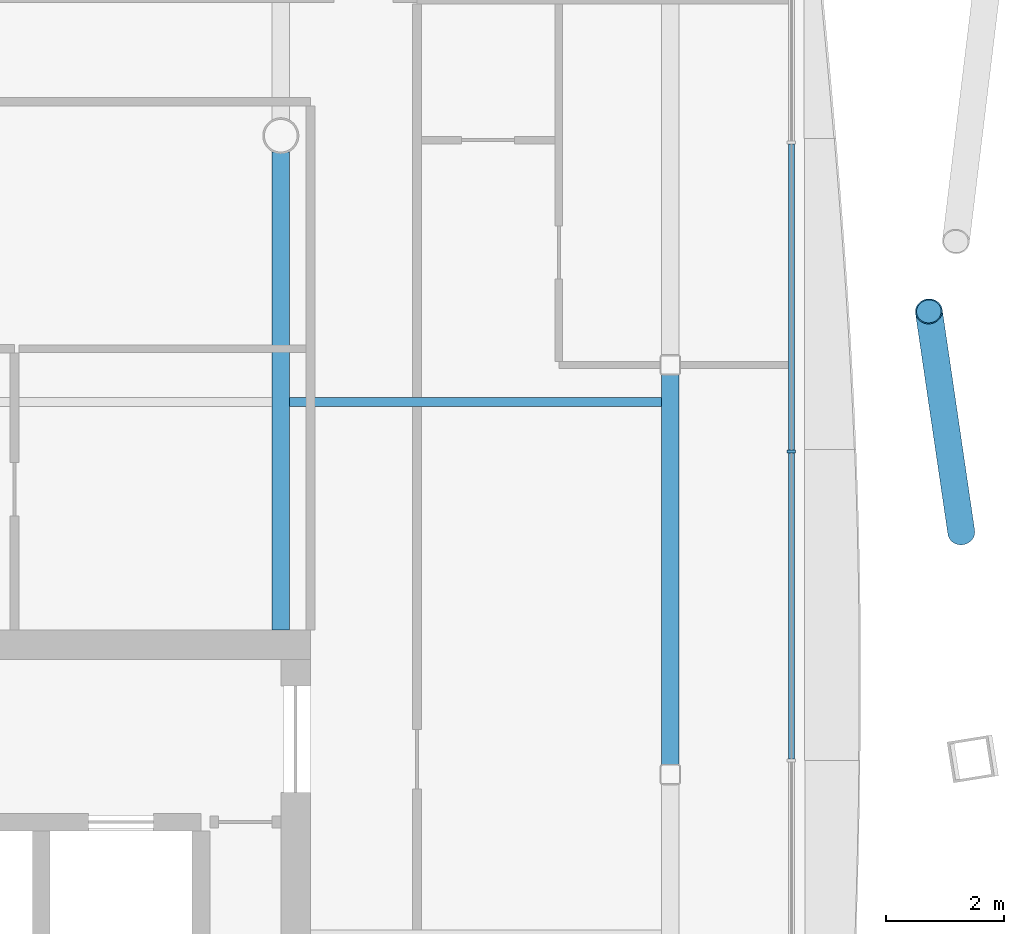
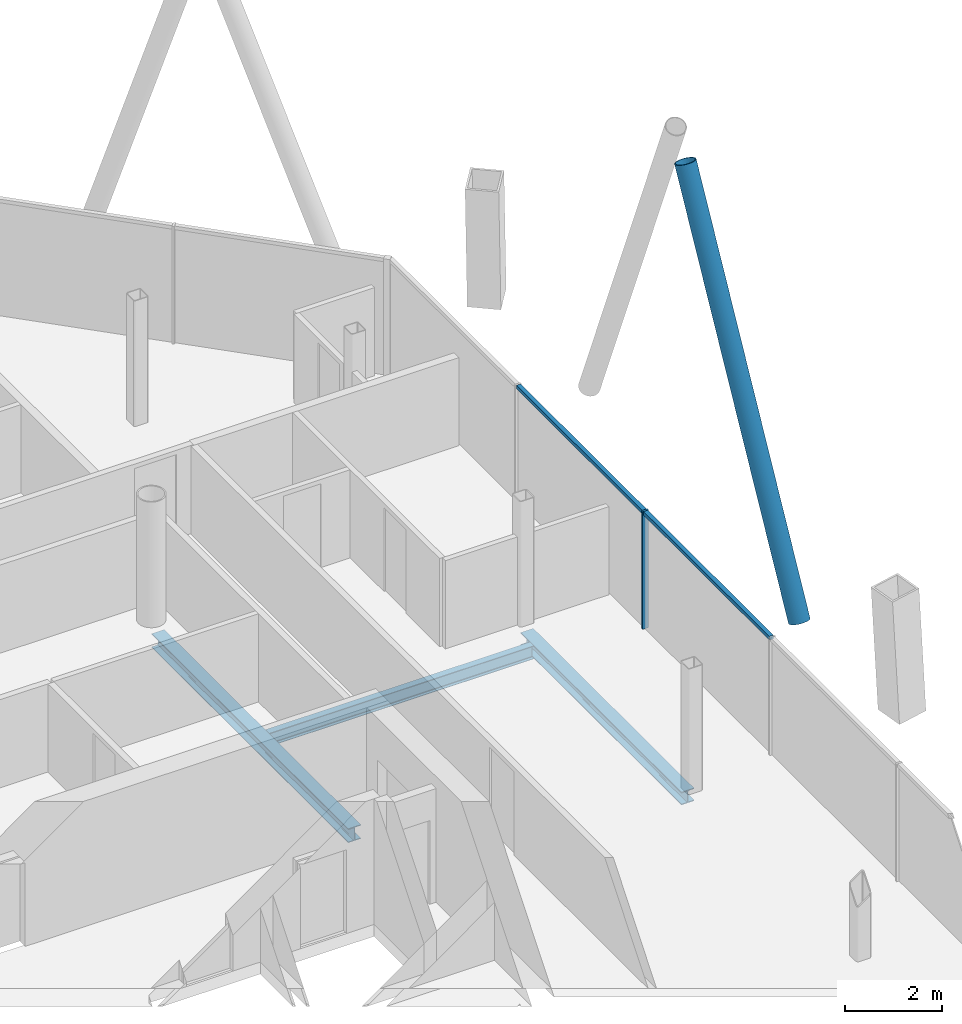
# One storey, part 9 of 20: 4 members, 3 beams, 1 element without a shape of its own.
"""IFC4 building model written with IfcOpenShell, lengths in metres."""

from ifc_helpers import new_model, si_unit, direction, frame, origin, origin_2d, place, context, subcontext, project, spatial, rectangle, hollow_circle, i_section, extrude, material, material_profile, profile_set, type_object, element, aggregate, save


model = new_model("IFC4")

# Units and contexts
model_context = context("Model", 3, precision=1e-05, world=origin(), true_north=direction((0.0, 1.0)))
body_context = subcontext(model_context, "Body", "Model", "MODEL_VIEW")
ifc_project = project(units=[si_unit("LENGTHUNIT", "METRE"), si_unit("AREAUNIT", "SQUARE_METRE"), si_unit("VOLUMEUNIT", "CUBIC_METRE"), si_unit("PLANEANGLEUNIT", "RADIAN"), si_unit("MASSUNIT", "GRAM", prefix="KILO")], contexts=[model_context])

# Site, building, storey
site_placement = place(None, origin())
site = spatial("IfcSite", under=ifc_project, at=site_placement, CompositionType="ELEMENT")
building_placement = place(site_placement, origin())
building = spatial("IfcBuilding", under=site, at=building_placement, Name="Tskaro Facet Tower", CompositionType="ELEMENT")
storey_placement = place(building_placement, frame((0.0, 0.0, 181.64990234375)))
storey = spatial("IfcBuildingStorey", under=building, at=storey_placement, Name="L45", CompositionType="ELEMENT", Elevation=181.64990234375)

# Member
ifc_material_1 = material(Name="Steel S355J2H", Category="steel")
ifc_material_profile_1 = material_profile(ifc_material_1, hollow_circle(Radius=0.228515625, WallThickness=0.02001953125, at=origin_2d()), Name="CHS 457x20")
ifc_profile_set_1 = profile_set([ifc_material_profile_1], Name="Steel S355J2H")
member_type_1 = type_object("IfcMemberType", Name="CHS 457x20 brace", PredefinedType="BRACE", material=ifc_profile_set_1)
member_1_placement = place(storey_placement, frame((20.499755859375, 2.298828125, 0.0), z_axis=(-0.053840694381, 0.366831718531, 0.928727984885), x_axis=(-0.989399918881, -0.145216392045, 0.0)))
element("IfcMember", 1, at=member_1_placement, inside=storey, type_object=member_type_1, Name="CHS 457x20 XB05A/4", PredefinedType="BRACE", context=body_context, shape_type="SweptSolid", body=[
    extrude(hollow_circle(Radius=0.228515625, WallThickness=0.02001953125, at=origin_2d()), origin(), (0.0, 0.0, 1.0), 10.175537109375),
])

# Curtain wall, members
ifc_material_2 = material(Name="Bronze anodised aluminium 6063-T6", Category="aluminium")
curtain_wall_type = type_object("IfcCurtainWallType", Name="Bronze residence curtain wall (FW3)", PredefinedType="NOTDEFINED", material=ifc_material_2)
curtain_wall_placement = place(storey_placement, origin())
curtain_wall = element("IfcCurtainWall", 2, at=curtain_wall_placement, inside=storey, type_object=curtain_wall_type, Name="FW3 east facet L45", PredefinedType="NOTDEFINED")
ifc_material_profile_2 = material_profile(ifc_material_2, rectangle(XDim=0.050048828125, YDim=0.139892578125, at=origin_2d()), Name="Mullion 50x140")
ifc_profile_set_2 = profile_set([ifc_material_profile_2], Name="Bronze anodised aluminium 6063-T6")
member_type_2 = type_object("IfcMemberType", Name="FW3 bronze mullion 50x140", PredefinedType="MULLION", material=ifc_profile_set_2)
member_2_placement = place(storey_placement, frame((17.6279296875, 3.66357421875, 0.0), z_axis=(0.0, 0.0, 1.0), x_axis=(0.0, 1.0, 0.0)))
member_2 = element("IfcMember", 3, at=member_2_placement, type_object=member_type_2, Name="FW3 east mullion 4", PredefinedType="MULLION", context=body_context, shape_type="SweptSolid", body=[
    extrude(rectangle(XDim=0.050048828125, YDim=0.139892578125, at=origin_2d()), origin(), (0.0, 0.0, 1.0), 2.9501953125),
])
ifc_material_profile_3 = material_profile(ifc_material_2, rectangle(XDim=0.10009765625, YDim=0.090087890625, at=origin_2d()), Name="Transom 100x90")
ifc_profile_set_3 = profile_set([ifc_material_profile_3], Name="Bronze anodised aluminium 6063-T6")
member_type_3 = type_object("IfcMemberType", Name="FW3 bronze transom 100x90", PredefinedType="USERDEFINED", material=ifc_profile_set_3)
member_3_placement = place(storey_placement, frame((17.6279296875, -1.529541015625, 2.905029296875), z_axis=(0.0, 1.0, 0.0), x_axis=(-1.0, 0.0, 0.0)))
member_3 = element("IfcMember", 4, at=member_3_placement, type_object=member_type_3, Name="FW3 east transom 4.1", ObjectType="TRANSOM", PredefinedType="USERDEFINED", context=body_context, shape_type="SweptSolid", body=[
    extrude(rectangle(XDim=0.10009765625, YDim=0.090087890625, at=origin_2d()), origin(), (0.0, 0.0, 1.0), 5.168212890625),
])
member_4_placement = place(storey_placement, frame((17.6279296875, 3.688720703125, 2.905029296875), z_axis=(0.0, 1.0, 0.0), x_axis=(-1.0, 0.0, 0.0)))
member_4 = element("IfcMember", 5, at=member_4_placement, type_object=member_type_3, Name="FW3 east transom 5.1", ObjectType="TRANSOM", PredefinedType="USERDEFINED", context=body_context, shape_type="SweptSolid", body=[
    extrude(rectangle(XDim=0.10009765625, YDim=0.090087890625, at=origin_2d()), origin(), (0.0, 0.0, 1.0), 5.168212890625),
])
aggregate(curtain_wall, [member_2, member_3, member_4])

# Beams
ifc_material_3 = material(Name="Steel S355J2", Category="steel")
ifc_material_profile_4 = material_profile(ifc_material_3, i_section(OverallWidth=0.300048828125, OverallDepth=0.320068359375, WebThickness=0.011474609375, FlangeThickness=0.0205078125, FilletRadius=0.027099609375, at=origin_2d()), Name="HE 320 B")
ifc_profile_set_4 = profile_set([ifc_material_profile_4], Name="Steel S355J2")
beam_type_1 = type_object("IfcBeamType", Name="HE 320 B ring beam", PredefinedType="BEAM", material=ifc_profile_set_4)
beam_1_placement = place(storey_placement, frame((15.5830078125, -1.637939453125, -0.2998046875), z_axis=(0.0, 1.0, 0.0), x_axis=(-1.0, 0.0, 0.0)))
element("IfcBeam", 6, at=beam_1_placement, inside=storey, type_object=beam_type_1, Name="HE 320 B EB8-4", PredefinedType="BEAM", context=body_context, shape_type="SweptSolid", body=[
    extrude(i_section(OverallWidth=0.300048828125, OverallDepth=0.320068359375, WebThickness=0.011474609375, FlangeThickness=0.0205078125, FilletRadius=0.027099609375, at=origin_2d()), origin(), (0.0, 0.0, 1.0), 6.60888671875),
])
ifc_material_profile_5 = material_profile(ifc_material_3, i_section(OverallWidth=0.300048828125, OverallDepth=0.35009765625, WebThickness=0.010009765625, FlangeThickness=0.017578125, FilletRadius=0.027099609375, at=origin_2d()), Name="HE 360 A")
ifc_profile_set_5 = profile_set([ifc_material_profile_5], Name="Steel S355J2")
beam_type_2 = type_object("IfcBeamType", Name="HE 360 A girder", PredefinedType="BEAM", material=ifc_profile_set_5)
beam_2_placement = place(storey_placement, frame((9.0, 0.64990234375, -0.31494140625), z_axis=(0.0, 1.0, 0.0), x_axis=(-1.0, 0.0, 0.0)))
element("IfcBeam", 7, at=beam_2_placement, inside=storey, type_object=beam_type_2, Name="HE 360 A GB5-2-4", PredefinedType="BEAM", context=body_context, shape_type="SweptSolid", body=[
    extrude(i_section(OverallWidth=0.300048828125, OverallDepth=0.35009765625, WebThickness=0.010009765625, FlangeThickness=0.017578125, FilletRadius=0.027099609375, at=origin_2d()), origin(), (0.0, 0.0, 1.0), 8.0751953125),
])
ifc_material_profile_6 = material_profile(ifc_material_3, i_section(OverallWidth=0.159912109375, OverallDepth=0.330078125, WebThickness=0.007568359375, FlangeThickness=0.011474609375, FilletRadius=0.01806640625, at=origin_2d()), Name="IPE 330")
ifc_profile_set_6 = profile_set([ifc_material_profile_6], Name="Steel S355J2")
beam_type_3 = type_object("IfcBeamType", Name="IPE 330 secondary beam", PredefinedType="BEAM", material=ifc_profile_set_6)
beam_3_placement = place(storey_placement, frame((9.14990234375, 4.5, -0.304931640625), z_axis=(1.0, 0.0, 0.0), x_axis=(0.0, 1.0, 0.0)))
element("IfcBeam", 8, at=beam_3_placement, inside=storey, type_object=beam_type_3, Name="IPE 330 SB4a-5-4", PredefinedType="BEAM", context=body_context, shape_type="SweptSolid", body=[
    extrude(i_section(OverallWidth=0.159912109375, OverallDepth=0.330078125, WebThickness=0.007568359375, FlangeThickness=0.011474609375, FilletRadius=0.01806640625, at=origin_2d()), origin(), (0.0, 0.0, 1.0), 6.283203125),
])

save(model, "model.ifc")
